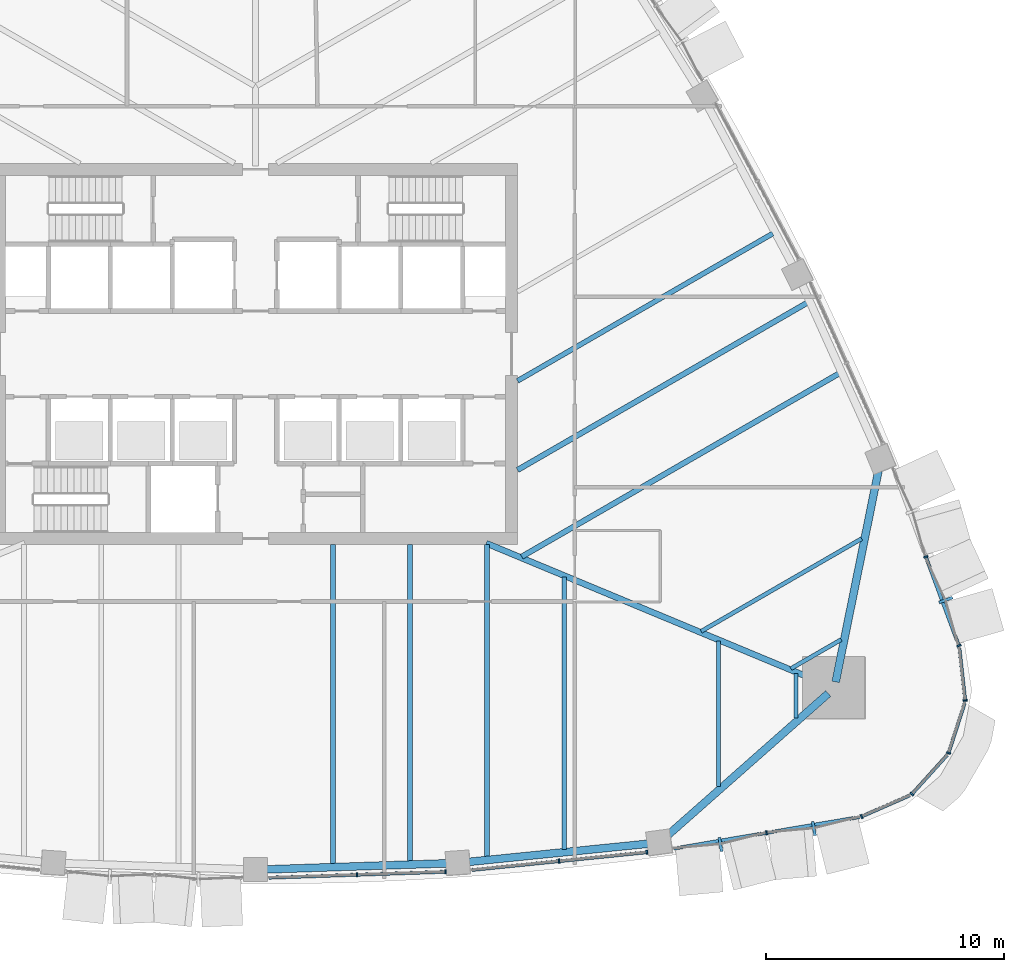
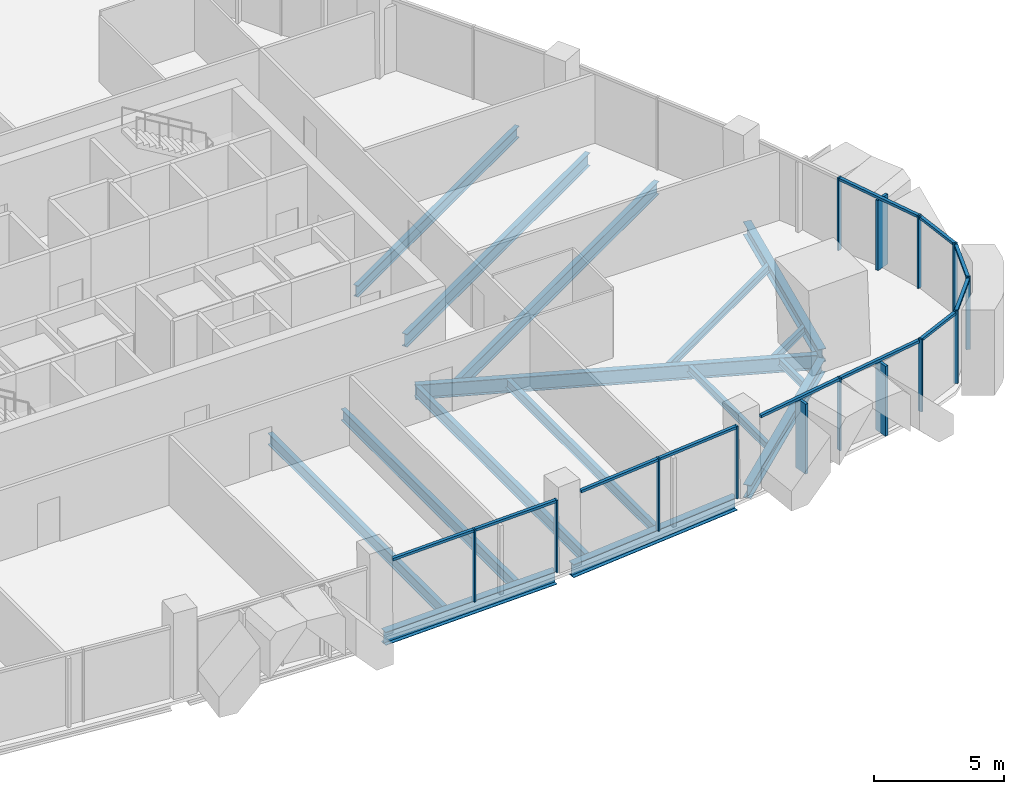
# One storey, part 4 of 17: 25 members, 16 beams, 8 elements without a shape of their own.
"""IFC4 building model written with IfcOpenShell, lengths in metres."""

import ifcopenshell
import ifcopenshell.guid

model = None  # the IFC model being written
_history = None  # IfcOwnerHistory: only IFC2X3 demands one
_inside = {}  # id of a spatial element -> (the spatial element, [elements in it])
_under = {}  # id of a project, library or spatial element -> (it, [spatial elements below it])
_declared = {}  # id of a project -> (the project, [libraries it declares])
_typed = {}  # id of a type object -> (the type object, [elements of that type])
_made_of = {}  # id of a material, layer set ... -> (it, [elements and type objects made of it])


def new_model(schema):
    """Start an empty IFC model of exactly this schema.

    Asked for "IFC4X3", IfcOpenShell would pick the latest addendum, in which some entities
    have other attributes; the version numbers below select the first issue.
    IFC2X3 requires an IfcOwnerHistory on every rooted entity: one is made here for all.
    """
    global model, _history
    if schema == "IFC4X3":
        model = ifcopenshell.file(schema_version=(4, 3, 0, 0))
    else:
        model = ifcopenshell.file(schema=schema)
    _inside.clear()
    _under.clear()
    _declared.clear()
    _typed.clear()
    _made_of.clear()
    _history = None
    if model.schema == "IFC2X3":
        org = make("IfcOrganization", Name="unknown")
        user = make(
            "IfcPersonAndOrganization",
            ThePerson=make("IfcPerson", FamilyName="unknown"),
            TheOrganization=org,
        )
        app = make(
            "IfcApplication",
            ApplicationDeveloper=org,
            Version="unknown",
            ApplicationFullName="unknown",
            ApplicationIdentifier="unknown",
        )
        _history = make(
            "IfcOwnerHistory",
            OwningUser=user,
            OwningApplication=app,
            ChangeAction="ADDED",
            CreationDate=0,
        )
    return model


def make(cls, **values):
    """One entity of the class cls with the attributes given. An attribute that is None is left unset."""
    return model.create_entity(
        cls, **{name: value for name, value in values.items() if value is not None}
    )


def rooted(cls, **values):
    """An entity with a GlobalId (a new one), such as an element, a storey or a relation."""
    return make(cls, GlobalId=ifcopenshell.guid.new(), OwnerHistory=_history, **values)


def si_unit(unit_type, name, prefix=None):
    """IfcSIUnit, for example si_unit("LENGTHUNIT", "METRE", prefix="MILLI")."""
    return make("IfcSIUnit", UnitType=unit_type, Prefix=prefix, Name=name)


def assignment(units):
    """IfcUnitAssignment: the units of a project."""
    return None if units is None else make("IfcUnitAssignment", Units=units)


def point(xyz):
    """IfcCartesianPoint."""
    return None if xyz is None else make("IfcCartesianPoint", Coordinates=xyz)


def direction(xyz):
    """IfcDirection."""
    return None if xyz is None else make("IfcDirection", DirectionRatios=xyz)


def frame(location, z_axis=None, x_axis=None):
    """IfcAxis2Placement3D, a coordinate frame: its origin and axes. An axis left out is left unset."""
    return make(
        "IfcAxis2Placement3D",
        Location=point(location),
        Axis=direction(z_axis),
        RefDirection=direction(x_axis),
    )


def frame_2d(location, x_axis=None):
    """IfcAxis2Placement2D, a coordinate frame in the plane: its origin and x axis."""
    return make(
        "IfcAxis2Placement2D", Location=point(location), RefDirection=direction(x_axis)
    )


def origin():
    """The frame at (0, 0, 0) with its axes left unset."""
    return frame((0.0, 0.0, 0.0))


def origin_2d():
    """The frame at (0, 0) in the plane with its x axis left unset."""
    return frame_2d((0.0, 0.0))


def place(relative_to, where):
    """IfcLocalPlacement: puts the frame where relative to a parent placement (None: the world)."""
    return make(
        "IfcLocalPlacement", PlacementRelTo=relative_to, RelativePlacement=where
    )


def context(
    kind, dimensions, precision=None, world=None, true_north=None, identifier=None
):
    """IfcGeometricRepresentationContext, for example the 3D "Model" context."""
    return make(
        "IfcGeometricRepresentationContext",
        ContextIdentifier=identifier,
        ContextType=kind,
        CoordinateSpaceDimension=dimensions,
        Precision=precision,
        WorldCoordinateSystem=world,
        TrueNorth=true_north,
    )


def subcontext(parent, identifier, kind, view, scale=None):
    """IfcGeometricRepresentationSubContext, for example "Body" below "Model"."""
    return make(
        "IfcGeometricRepresentationSubContext",
        ContextIdentifier=identifier,
        ContextType=kind,
        ParentContext=parent,
        TargetScale=scale,
        TargetView=view,
    )


def project(units=None, contexts=None):
    """IfcProject with its units and contexts."""
    return rooted(
        "IfcProject",
        Name="project",
        RepresentationContexts=contexts,
        UnitsInContext=assignment(units),
    )


def spatial(cls, under=None, at=None, **own):
    """A site, building, storey or space (cls), placed at a placement, below another one or the project."""
    s = rooted(cls, ObjectPlacement=at, **own)
    if under is not None:
        _under.setdefault(under.id(), (under, []))[1].append(s)
    return s


def profile(cls, at=None, kind="AREA", **sizes):
    """A parametric profile (cls). Its sizes go by their IFC names, for example OverallWidth=200.0."""
    return make(cls, ProfileType=kind, Position=at, **sizes)


def rectangle(**sizes):
    """IfcRectangleProfileDef."""
    return profile("IfcRectangleProfileDef", **sizes)


def i_section(**sizes):
    """IfcIShapeProfileDef."""
    return profile("IfcIShapeProfileDef", **sizes)


def extrude(swept, where, along, depth):
    """IfcExtrudedAreaSolid: the profile swept, set in the frame where, extruded along a direction by depth."""
    return make(
        "IfcExtrudedAreaSolid",
        SweptArea=swept,
        Position=where,
        ExtrudedDirection=direction(along),
        Depth=depth,
    )


def shape(context_of_items, identifier, shape_type, items):
    """IfcShapeRepresentation: the items that make up one representation, for example the "Body"."""
    return make(
        "IfcShapeRepresentation",
        ContextOfItems=context_of_items,
        RepresentationIdentifier=identifier,
        RepresentationType=shape_type,
        Items=items,
    )


def material(Name=None, Category=None):
    """IfcMaterial."""
    return make("IfcMaterial", Name=Name, Category=Category)


def layer(
    of_material, thickness, ventilated=None, Name=None, Category=None, Priority=None
):
    """IfcMaterialLayer: one layer of a wall or slab, of a material (None: an air gap)."""
    return make(
        "IfcMaterialLayer",
        Material=of_material,
        LayerThickness=thickness,
        IsVentilated=ventilated,
        Name=Name,
        Category=Category,
        Priority=Priority,
    )


def layer_set(layers, Name=None):
    """IfcMaterialLayerSet."""
    return make("IfcMaterialLayerSet", MaterialLayers=layers, LayerSetName=Name)


def material_profile(
    of_material, cross_section, Name=None, Category=None, Priority=None
):
    """IfcMaterialProfile: a cross section and its material."""
    return make(
        "IfcMaterialProfile",
        Name=Name,
        Material=of_material,
        Profile=cross_section,
        Priority=Priority,
        Category=Category,
    )


def profile_set(profiles, Name=None, composite=None):
    """IfcMaterialProfileSet."""
    return make(
        "IfcMaterialProfileSet",
        Name=Name,
        MaterialProfiles=profiles,
        CompositeProfile=composite,
    )


def made_of(thing, what):
    """Note that an element or type object is made of a material, layer set ...; save() writes the relation."""
    if what is not None:
        _made_of.setdefault(what.id(), (what, []))[1].append(thing)
    return thing


def type_object(cls, material=None, **own):
    """A type object (cls), such as IfcWallType, which elements share."""
    return made_of(rooted(cls, **own), material)


def element(
    cls,
    number,
    at=None,
    inside=None,
    cuts=None,
    type_object=None,
    material=None,
    context=None,
    identifier="Body",
    shape_type=None,
    held_by="IfcProductDefinitionShape",
    body=None,
    shapes=None,
    **own,
):
    """One element of the class cls, such as IfcWall. Its Tag is "e" and its number.

    at: its placement. inside: the storey or other place that contains it. cuts: it is an
    opening in that element (IfcRelVoidsElement). A single representation is given by context,
    identifier, shape_type and body (its items); several are given by shapes. held_by: the class
    of the entity that holds the representations. save() writes the other relations.
    """
    e = rooted(cls, Tag="e%d" % number, ObjectPlacement=at, **own)
    if body is not None:
        shapes = [shape(context, identifier, shape_type, body)]
    if shapes is not None:
        e.Representation = make(held_by, Representations=shapes)
    if inside is not None:
        _inside.setdefault(inside.id(), (inside, []))[1].append(e)
    if cuts is not None:
        rooted(
            "IfcRelVoidsElement", RelatingBuildingElement=cuts, RelatedOpeningElement=e
        )
    if type_object is not None:
        _typed.setdefault(type_object.id(), (type_object, []))[1].append(e)
    return made_of(e, material)


def aggregate(whole, parts):
    """IfcRelAggregates: a whole, such as a stair, and the parts it consists of."""
    return rooted("IfcRelAggregates", RelatingObject=whole, RelatedObjects=parts)


def save(model, path):
    """Write the relations noted so far, then the file.

    IfcRelAggregates (storeys below a building ...), IfcRelContainedInSpatialStructure (elements
    in a storey), IfcRelDefinesByType, IfcRelAssociatesMaterial and IfcRelDeclares: one each for
    every whole, place, type object, material and project.
    """
    for whole, parts in _under.values():
        aggregate(whole, parts)
    for where, things in _inside.values():
        rooted(
            "IfcRelContainedInSpatialStructure",
            RelatedElements=things,
            RelatingStructure=where,
        )
    for kind, things in _typed.values():
        rooted("IfcRelDefinesByType", RelatedObjects=things, RelatingType=kind)
    for what, things in _made_of.values():
        rooted("IfcRelAssociatesMaterial", RelatedObjects=things, RelatingMaterial=what)
    for by, libraries in _declared.values():
        rooted("IfcRelDeclares", RelatingContext=by, RelatedDefinitions=libraries)
    model.write(path)


model = new_model("IFC4")

# Units and contexts
model_context = context("Model", 3, precision=1e-05, world=origin(), true_north=direction((0.0, 1.0)))
body_context = subcontext(model_context, "Body", "Model", "MODEL_VIEW")
ifc_project = project(units=[si_unit("LENGTHUNIT", "METRE"), si_unit("AREAUNIT", "SQUARE_METRE"), si_unit("VOLUMEUNIT", "CUBIC_METRE"), si_unit("PLANEANGLEUNIT", "RADIAN"), si_unit("MASSUNIT", "GRAM", prefix="KILO")], contexts=[model_context])

# Site, building, storey
site_placement = place(None, origin())
site = spatial("IfcSite", under=ifc_project, at=site_placement, CompositionType="ELEMENT")
building_placement = place(site_placement, origin())
building = spatial("IfcBuilding", under=site, at=building_placement, Name="Sierra Prisma Convention Tower", CompositionType="ELEMENT")
storey_placement = place(building_placement, frame((0.0, 0.0, 153.800048828125)))
storey = spatial("IfcBuildingStorey", under=building, at=storey_placement, Name="L33", CompositionType="ELEMENT", Elevation=153.800048828125)

# Curtain wall, members
ifc_material_1 = material(Name="Aluminium and glass curtain wall", Category="aluminium")
ifc_layer_1 = layer(ifc_material_1, 0.179931640625)
ifc_layer_set_1 = layer_set([ifc_layer_1], Name="CW-2 Faceted crystal curtain wall")
curtain_wall_type_1 = type_object("IfcCurtainWallType", Name="CW-2 Faceted crystal curtain wall", PredefinedType="NOTDEFINED", material=ifc_layer_set_1)
curtain_wall_1_placement = place(storey_placement, origin())
curtain_wall_1 = element("IfcCurtainWall", 1, at=curtain_wall_1_placement, inside=storey, type_object=curtain_wall_type_1, Name="CW-2 S6 L33", PredefinedType="NOTDEFINED")
ifc_material_2 = material(Name="Aluminium 6063-T6 bronze anodised", Category="aluminium")
ifc_material_profile_1 = material_profile(ifc_material_2, rectangle(XDim=0.1201171875, YDim=0.60009765625, at=origin_2d()), Name="ALU RIDGE BLADE 120x600")
ifc_profile_set_1 = profile_set([ifc_material_profile_1], Name="Aluminium 6063-T6 bronze anodised")
member_type_1 = type_object("IfcMemberType", Name="CW hip bronze", PredefinedType="MULLION", material=ifc_profile_set_1)
member_1_placement = place(storey_placement, frame((19.521728515625, -20.599853515625, 0.0), z_axis=(0.0, 0.0, 1.0), x_axis=(0.985907976099, 0.16728856107, 0.0)))
member_1 = element("IfcMember", 2, at=member_1_placement, type_object=member_type_1, Name="CW-2 ridge S6.1", PredefinedType="MULLION", context=body_context, shape_type="SweptSolid", body=[
    extrude(rectangle(XDim=0.1201171875, YDim=0.60009765625, at=origin_2d()), origin(), (0.0, 0.0, 1.0), 3.280029296875),
])
member_2_placement = place(storey_placement, frame((23.4443359375, -19.934326171875, 0.0), z_axis=(0.0, 0.0, 1.0), x_axis=(0.985907976099, 0.16728856107, 0.0)))
member_2 = element("IfcMember", 3, at=member_2_placement, type_object=member_type_1, Name="CW-2 ridge S6.2", PredefinedType="MULLION", context=body_context, shape_type="SweptSolid", body=[
    extrude(rectangle(XDim=0.1201171875, YDim=0.60009765625, at=origin_2d()), origin(), (0.0, 0.0, 1.0), 3.280029296875),
])

# Curtain wall, member
curtain_wall_2_placement = place(storey_placement, origin())
curtain_wall_2 = element("IfcCurtainWall", 4, at=curtain_wall_2_placement, inside=storey, type_object=curtain_wall_type_1, Name="CW-2 NE1 L33", PredefinedType="NOTDEFINED")
member_3_placement = place(storey_placement, frame((28.98583984375, -10.33642578125, 0.0), z_axis=(0.0, 0.0, 1.0), x_axis=(-0.3480778444, 0.93746563363, 0.0)))
member_3 = element("IfcMember", 5, at=member_3_placement, type_object=member_type_1, Name="CW-2 ridge NE1.1", PredefinedType="MULLION", context=body_context, shape_type="SweptSolid", body=[
    extrude(rectangle(XDim=0.1201171875, YDim=0.60009765625, at=origin_2d()), origin(), (0.0, 0.0, 1.0), 3.280029296875),
])

# Curtain wall, members
ifc_material_3 = material(Name="Aluminium and glass curtain wall", Category="aluminium")
ifc_layer_2 = layer(ifc_material_3, 0.179931640625)
ifc_layer_set_2 = layer_set([ifc_layer_2], Name="CW-1 Plain shaft curtain wall")
curtain_wall_type_2 = type_object("IfcCurtainWallType", Name="CW-1 Plain shaft curtain wall", PredefinedType="NOTDEFINED", material=ifc_layer_set_2)
curtain_wall_3_placement = place(storey_placement, origin())
curtain_wall_3 = element("IfcCurtainWall", 6, at=curtain_wall_3_placement, inside=storey, type_object=curtain_wall_type_2, Name="CW-1 S4 L33", PredefinedType="NOTDEFINED")
ifc_material_4 = material(Name="Aluminium 6063-T6 bronze anodised", Category="aluminium")
ifc_material_profile_2 = material_profile(ifc_material_4, rectangle(XDim=0.179931640625, YDim=0.070068359375, at=origin_2d()), Name="ALU MULLION 70x180")
ifc_profile_set_2 = profile_set([ifc_material_profile_2], Name="Aluminium 6063-T6 bronze anodised")
member_type_2 = type_object("IfcMemberType", Name="CW mullion bronze", PredefinedType="MULLION", material=ifc_profile_set_2)
member_4_placement = place(storey_placement, frame((4.255126953125, -21.87255859375, 0.0), z_axis=(0.0, 0.0, 1.0), x_axis=(-0.03360943507, 0.999435043349, 0.0)))
member_4 = element("IfcMember", 7, at=member_4_placement, type_object=member_type_2, Name="CW-1 mullion S4.2", PredefinedType="MULLION", context=body_context, shape_type="SweptSolid", body=[
    extrude(rectangle(XDim=0.179931640625, YDim=0.070068359375, at=origin_2d()), origin(), (0.0, 0.0, 1.0), 3.39990234375),
])
member_5_placement = place(storey_placement, frame((7.9755859375, -21.74755859375, 0.0), z_axis=(0.0, 0.0, 1.0), x_axis=(-0.03360943507, 0.999435043349, 0.0)))
member_5 = element("IfcMember", 8, at=member_5_placement, type_object=member_type_2, Name="CW-1 mullion S4.3", PredefinedType="MULLION", context=body_context, shape_type="SweptSolid", body=[
    extrude(rectangle(XDim=0.179931640625, YDim=0.070068359375, at=origin_2d()), origin(), (0.0, 0.0, 1.0), 3.39990234375),
])

curtain_wall_4_placement = place(storey_placement, origin())
curtain_wall_4 = element("IfcCurtainWall", 9, at=curtain_wall_4_placement, inside=storey, type_object=curtain_wall_type_2, Name="CW-1 S5 L33", PredefinedType="NOTDEFINED")
member_6_placement = place(storey_placement, frame((12.74267578125, -21.302001953125, 0.0), z_axis=(0.0, 0.0, 1.0), x_axis=(-0.100676445112, 0.994919219535, 0.0)))
member_6 = element("IfcMember", 10, at=member_6_placement, type_object=member_type_2, Name="CW-1 mullion S5.2", PredefinedType="MULLION", context=body_context, shape_type="SweptSolid", body=[
    extrude(rectangle(XDim=0.179931640625, YDim=0.070068359375, at=origin_2d()), origin(), (0.0, 0.0, 1.0), 3.39990234375),
])
member_7_placement = place(storey_placement, frame((16.430419921875, -20.928955078125, 0.0), z_axis=(0.0, 0.0, 1.0), x_axis=(-0.100676445112, 0.994919219535, 0.0)))
member_7 = element("IfcMember", 11, at=member_7_placement, type_object=member_type_2, Name="CW-1 mullion S5.3", PredefinedType="MULLION", context=body_context, shape_type="SweptSolid", body=[
    extrude(rectangle(XDim=0.179931640625, YDim=0.070068359375, at=origin_2d()), origin(), (0.0, 0.0, 1.0), 3.39990234375),
])

# Member
member_8_placement = place(storey_placement, frame((21.457275390625, -20.115478515625, 0.0), z_axis=(0.0, 0.0, 1.0), x_axis=(-0.16728856107, 0.985907976099, 0.0)))
member_8 = element("IfcMember", 12, at=member_8_placement, type_object=member_type_2, Name="CW-1 mullion S6.2", PredefinedType="MULLION", context=body_context, shape_type="SweptSolid", body=[
    extrude(rectangle(XDim=0.179931640625, YDim=0.070068359375, at=origin_2d()), origin(), (0.0, 0.0, 1.0), 3.39990234375),
])

# Curtain wall, member
curtain_wall_5_placement = place(storey_placement, origin())
curtain_wall_5 = element("IfcCurtainWall", 13, at=curtain_wall_5_placement, inside=storey, type_object=curtain_wall_type_2, Name="CW-1 SE1 L33", PredefinedType="NOTDEFINED")
member_9_placement = place(storey_placement, frame((25.446533203125, -19.429931640625, 0.0), z_axis=(0.0, 0.0, 1.0), x_axis=(-0.401423311823, 0.915892638209, 0.0)))
member_9 = element("IfcMember", 14, at=member_9_placement, type_object=member_type_2, Name="CW-1 mullion SE1.1", PredefinedType="MULLION", context=body_context, shape_type="SweptSolid", body=[
    extrude(rectangle(XDim=0.179931640625, YDim=0.070068359375, at=origin_2d()), origin(), (0.0, 0.0, 1.0), 3.39990234375),
])

curtain_wall_6_placement = place(storey_placement, origin())
curtain_wall_6 = element("IfcCurtainWall", 15, at=curtain_wall_6_placement, inside=storey, type_object=curtain_wall_type_2, Name="CW-1 SE2 L33", PredefinedType="NOTDEFINED")
member_10_placement = place(storey_placement, frame((27.56005859375, -18.488037109375, 0.0), z_axis=(0.0, 0.0, 1.0), x_axis=(-0.741847843264, 0.670568249654, 0.0)))
member_10 = element("IfcMember", 16, at=member_10_placement, type_object=member_type_2, Name="CW-1 mullion SE2.1", PredefinedType="MULLION", context=body_context, shape_type="SweptSolid", body=[
    extrude(rectangle(XDim=0.179931640625, YDim=0.070068359375, at=origin_2d()), origin(), (0.0, 0.0, 1.0), 3.39990234375),
])

curtain_wall_7_placement = place(storey_placement, origin())
curtain_wall_7 = element("IfcCurtainWall", 17, at=curtain_wall_7_placement, inside=storey, type_object=curtain_wall_type_2, Name="CW-1 SE3 L33", PredefinedType="NOTDEFINED")
member_11_placement = place(storey_placement, frame((29.100830078125, -16.761962890625, 0.0), z_axis=(0.0, 0.0, 1.0), x_axis=(-0.951653060804, 0.307174953183, 0.0)))
member_11 = element("IfcMember", 18, at=member_11_placement, type_object=member_type_2, Name="CW-1 mullion SE3.1", PredefinedType="MULLION", context=body_context, shape_type="SweptSolid", body=[
    extrude(rectangle(XDim=0.179931640625, YDim=0.070068359375, at=origin_2d()), origin(), (0.0, 0.0, 1.0), 3.39990234375),
])

curtain_wall_8_placement = place(storey_placement, origin())
curtain_wall_8 = element("IfcCurtainWall", 19, at=curtain_wall_8_placement, inside=storey, type_object=curtain_wall_type_2, Name="CW-1 SE4 L33", PredefinedType="NOTDEFINED")
member_12_placement = place(storey_placement, frame((29.798095703125, -14.5556640625, 0.0), z_axis=(0.0, 0.0, 1.0), x_axis=(-0.993897947739, -0.110303533395, 0.0)))
member_12 = element("IfcMember", 20, at=member_12_placement, type_object=member_type_2, Name="CW-1 mullion SE4.1", PredefinedType="MULLION", context=body_context, shape_type="SweptSolid", body=[
    extrude(rectangle(XDim=0.179931640625, YDim=0.070068359375, at=origin_2d()), origin(), (0.0, 0.0, 1.0), 3.39990234375),
])

# Member
member_13_placement = place(storey_placement, frame((29.5341796875, -12.2548828125, 0.0), z_axis=(0.0, 0.0, 1.0), x_axis=(-0.93746563363, -0.3480778444, 0.0)))
member_13 = element("IfcMember", 21, at=member_13_placement, type_object=member_type_2, Name="CW-1 mullion NE1.1", PredefinedType="MULLION", context=body_context, shape_type="SweptSolid", body=[
    extrude(rectangle(XDim=0.179931640625, YDim=0.070068359375, at=origin_2d()), origin(), (0.0, 0.0, 1.0), 3.39990234375),
])

member_14_placement = place(storey_placement, frame((28.149169921875, -8.52490234375, 0.0), z_axis=(0.0, 0.0, 1.0), x_axis=(-0.93746563363, -0.3480778444, 0.0)))
member_14 = element("IfcMember", 22, at=member_14_placement, type_object=member_type_2, Name="CW-1 mullion NE1.2", PredefinedType="MULLION", context=body_context, shape_type="SweptSolid", body=[
    extrude(rectangle(XDim=0.179931640625, YDim=0.070068359375, at=origin_2d()), origin(), (0.0, 0.0, 1.0), 3.39990234375),
])

ifc_material_5 = material(Name="Aluminium 6063-T6 bronze anodised", Category="aluminium")
ifc_material_profile_3 = material_profile(ifc_material_5, rectangle(XDim=0.139892578125, YDim=0.1201171875, at=origin_2d()), Name="ALU TRANSOM 120x140")
ifc_profile_set_3 = profile_set([ifc_material_profile_3], Name="Aluminium 6063-T6 bronze anodised")
member_type_3 = type_object("IfcMemberType", Name="CW transom bronze", PredefinedType="USERDEFINED", material=ifc_profile_set_3)
member_15_placement = place(storey_placement, frame((0.569580078125, -21.99658203125, 3.33984375), z_axis=(0.999434697476, 0.03361971864, 0.0), x_axis=(-0.03361971864, 0.999434697476, 0.0)))
member_15 = element("IfcMember", 23, at=member_15_placement, type_object=member_type_3, Name="CW-1 transom S4.1", ObjectType="TRANSOM", PredefinedType="USERDEFINED", context=body_context, shape_type="SweptSolid", body=[
    extrude(rectangle(XDim=0.139892578125, YDim=0.1201171875, at=origin_2d()), origin(), (0.0, 0.0, 1.0), 3.652587890625),
])

member_16_placement = place(storey_placement, frame((4.2900390625, -21.871337890625, 3.33984375), z_axis=(0.999436865815, 0.033555197073, 0.0), x_axis=(-0.033555197073, 0.999436865815, 0.0)))
member_16 = element("IfcMember", 24, at=member_16_placement, type_object=member_type_3, Name="CW-1 transom S4.2", ObjectType="TRANSOM", PredefinedType="USERDEFINED", context=body_context, shape_type="SweptSolid", body=[
    extrude(rectangle(XDim=0.139892578125, YDim=0.1201171875, at=origin_2d()), origin(), (0.0, 0.0, 1.0), 3.65234375),
])

aggregate(curtain_wall_3, [member_4, member_5, member_15, member_16])

member_17_placement = place(storey_placement, frame((9.08984375, -21.671630859375, 3.33984375), z_axis=(0.994922871105, 0.100640352506, 0.0), x_axis=(-0.100640352506, 0.994922871105, 0.0)))
member_17 = element("IfcMember", 25, at=member_17_placement, type_object=member_type_3, Name="CW-1 transom S5.1", ObjectType="TRANSOM", PredefinedType="USERDEFINED", context=body_context, shape_type="SweptSolid", body=[
    extrude(rectangle(XDim=0.139892578125, YDim=0.1201171875, at=origin_2d()), origin(), (0.0, 0.0, 1.0), 3.636474609375),
])

member_18_placement = place(storey_placement, frame((12.777587890625, -21.298583984375, 3.33984375), z_axis=(0.994916146411, 0.10070681015, 0.0), x_axis=(-0.10070681015, 0.994916146411, 0.0)))
member_18 = element("IfcMember", 26, at=member_18_placement, type_object=member_type_3, Name="CW-1 transom S5.2", ObjectType="TRANSOM", PredefinedType="USERDEFINED", context=body_context, shape_type="SweptSolid", body=[
    extrude(rectangle(XDim=0.139892578125, YDim=0.1201171875, at=origin_2d()), origin(), (0.0, 0.0, 1.0), 3.636474609375),
])

aggregate(curtain_wall_4, [member_6, member_7, member_17, member_18])

member_19_placement = place(storey_placement, frame((17.569091796875, -20.775146484375, 3.33984375), z_axis=(0.985912033815, 0.167264645332, 0.0), x_axis=(-0.167264645332, 0.985912033815, 0.0)))
member_19 = element("IfcMember", 27, at=member_19_placement, type_object=member_type_3, Name="CW-1 transom S6.1", ObjectType="TRANSOM", PredefinedType="USERDEFINED", context=body_context, shape_type="SweptSolid", body=[
    extrude(rectangle(XDim=0.139892578125, YDim=0.1201171875, at=origin_2d()), origin(), (0.0, 0.0, 1.0), 3.908935546875),
])

member_20_placement = place(storey_placement, frame((21.491943359375, -20.109619140625, 3.33984375), z_axis=(0.985910286216, 0.167274945925, 0.0), x_axis=(-0.167274945925, 0.985910286216, 0.0)))
member_20 = element("IfcMember", 28, at=member_20_placement, type_object=member_type_3, Name="CW-1 transom S6.2", ObjectType="TRANSOM", PredefinedType="USERDEFINED", context=body_context, shape_type="SweptSolid", body=[
    extrude(rectangle(XDim=0.139892578125, YDim=0.1201171875, at=origin_2d()), origin(), (0.0, 0.0, 1.0), 3.90869140625),
])

aggregate(curtain_wall_1, [member_8, member_19, member_1, member_20, member_2])

member_21_placement = place(storey_placement, frame((25.478759765625, -19.416015625, 3.33984375), z_axis=(0.915853335507, 0.40151297344, 0.0), x_axis=(-0.40151297344, 0.915853335507, 0.0)))
member_21 = element("IfcMember", 29, at=member_21_placement, type_object=member_type_3, Name="CW-1 transom SE1.1", ObjectType="TRANSOM", PredefinedType="USERDEFINED", context=body_context, shape_type="SweptSolid", body=[
    extrude(rectangle(XDim=0.139892578125, YDim=0.1201171875, at=origin_2d()), origin(), (0.0, 0.0, 1.0), 2.1767578125),
])

aggregate(curtain_wall_5, [member_9, member_21])

member_22_placement = place(storey_placement, frame((27.58349609375, -18.4619140625, 3.33984375), z_axis=(0.670599022569, 0.74182002597, 0.0), x_axis=(-0.74182002597, 0.670599022569, 0.0)))
member_22 = element("IfcMember", 30, at=member_22_placement, type_object=member_type_3, Name="CW-1 transom SE2.1", ObjectType="TRANSOM", PredefinedType="USERDEFINED", context=body_context, shape_type="SweptSolid", body=[
    extrude(rectangle(XDim=0.139892578125, YDim=0.1201171875, at=origin_2d()), origin(), (0.0, 0.0, 1.0), 2.1767578125),
])

aggregate(curtain_wall_6, [member_10, member_22])

member_23_placement = place(storey_placement, frame((29.111572265625, -16.728515625, 3.33984375), z_axis=(0.307196113718, 0.951646230338, 0.0), x_axis=(-0.951646230338, 0.307196113718, 0.0)))
member_23 = element("IfcMember", 31, at=member_23_placement, type_object=member_type_3, Name="CW-1 transom SE3.1", ObjectType="TRANSOM", PredefinedType="USERDEFINED", context=body_context, shape_type="SweptSolid", body=[
    extrude(rectangle(XDim=0.139892578125, YDim=0.1201171875, at=origin_2d()), origin(), (0.0, 0.0, 1.0), 2.1767578125),
])

aggregate(curtain_wall_7, [member_11, member_23])

member_24_placement = place(storey_placement, frame((29.794189453125, -14.520751953125, 3.33984375), z_axis=(-0.110357669507, 0.993891938181, 0.0), x_axis=(-0.993891938181, -0.110357669507, 0.0)))
member_24 = element("IfcMember", 32, at=member_24_placement, type_object=member_type_3, Name="CW-1 transom SE4.1", ObjectType="TRANSOM", PredefinedType="USERDEFINED", context=body_context, shape_type="SweptSolid", body=[
    extrude(rectangle(XDim=0.139892578125, YDim=0.1201171875, at=origin_2d()), origin(), (0.0, 0.0, 1.0), 2.1767578125),
])

aggregate(curtain_wall_8, [member_12, member_24])

member_25_placement = place(storey_placement, frame((29.52197265625, -12.221923828125, 3.33984375), z_axis=(-0.348089298111, 0.937461380826, 0.0), x_axis=(-0.937461380826, -0.348089298111, 0.0)))
member_25 = element("IfcMember", 33, at=member_25_placement, type_object=member_type_3, Name="CW-1 transom NE1.1", ObjectType="TRANSOM", PredefinedType="USERDEFINED", context=body_context, shape_type="SweptSolid", body=[
    extrude(rectangle(XDim=0.139892578125, YDim=0.1201171875, at=origin_2d()), origin(), (0.0, 0.0, 1.0), 3.90869140625),
])

aggregate(curtain_wall_2, [member_13, member_14, member_25, member_3])

# Beams
ifc_material_6 = material(Name="Steel ASTM A992 Gr 50", Category="steel")
ifc_material_profile_4 = material_profile(ifc_material_6, i_section(OverallWidth=0.172119140625, OverallDepth=0.35791015625, WebThickness=0.0078125, FlangeThickness=0.01318359375, at=origin_2d()), Name="W360x57")
ifc_profile_set_4 = profile_set([ifc_material_profile_4], Name="Steel ASTM A992 Gr 50")
beam_type_1 = type_object("IfcBeamType", Name="Floor joist W360x57", PredefinedType="JOIST", material=ifc_profile_set_4)
beam_1_placement = place(storey_placement, frame((19.44677734375, -18.1611328125, -0.3291015625), z_axis=(0.0, 1.0, 0.0), x_axis=(-1.0, 0.0, 0.0)))
element("IfcBeam", 34, at=beam_1_placement, inside=storey, type_object=beam_type_1, Name="Floor joist L33 S14", PredefinedType="JOIST", context=body_context, shape_type="SweptSolid", body=[
    extrude(i_section(OverallWidth=0.172119140625, OverallDepth=0.35791015625, WebThickness=0.0078125, FlangeThickness=0.01318359375, at=origin_2d()), origin(), (0.0, 0.0, 1.0), 6.09375),
])
beam_2_placement = place(storey_placement, frame((22.68798828125, -15.298828125, -0.3291015625), z_axis=(0.0, 1.0, 0.0), x_axis=(-1.0, 0.0, 0.0)))
element("IfcBeam", 35, at=beam_2_placement, inside=storey, type_object=beam_type_1, Name="Floor joist L33 S15", PredefinedType="JOIST", context=body_context, shape_type="SweptSolid", body=[
    extrude(i_section(OverallWidth=0.172119140625, OverallDepth=0.35791015625, WebThickness=0.0078125, FlangeThickness=0.01318359375, at=origin_2d()), origin(), (0.0, 0.0, 1.0), 1.88330078125),
])
beam_3_placement = place(storey_placement, frame((24.593017578125, -11.998779296875, -0.3291015625), z_axis=(-0.865980627057, -0.500077547548, 0.0), x_axis=(0.500077547548, -0.865980627057, 0.0)))
element("IfcBeam", 36, at=beam_3_placement, inside=storey, type_object=beam_type_1, Name="Floor joist L33 NE01", PredefinedType="JOIST", context=body_context, shape_type="SweptSolid", body=[
    extrude(i_section(OverallWidth=0.172119140625, OverallDepth=0.35791015625, WebThickness=0.0078125, FlangeThickness=0.01318359375, at=origin_2d()), origin(), (0.0, 0.0, 1.0), 2.43994140625),
])
beam_4_placement = place(storey_placement, frame((25.451416015625, -7.7607421875, -0.3291015625), z_axis=(-0.866014220968, -0.500019368707, 0.0), x_axis=(0.500019368707, -0.866014220968, 0.0)))
element("IfcBeam", 37, at=beam_4_placement, inside=storey, type_object=beam_type_1, Name="Floor joist L33 NE02", PredefinedType="JOIST", context=body_context, shape_type="SweptSolid", body=[
    extrude(i_section(OverallWidth=0.172119140625, OverallDepth=0.35791015625, WebThickness=0.0078125, FlangeThickness=0.01318359375, at=origin_2d()), origin(), (0.0, 0.0, 1.0), 7.781982421875),
])
ifc_material_7 = material(Name="Steel ASTM A992 Gr 50", Category="steel")
ifc_material_profile_5 = material_profile(ifc_material_7, i_section(OverallWidth=0.18994140625, OverallDepth=0.45703125, WebThickness=0.009033203125, FlangeThickness=0.014404296875, at=origin_2d()), Name="W460x74")
ifc_profile_set_5 = profile_set([ifc_material_profile_5], Name="Steel ASTM A992 Gr 50")
beam_type_2 = type_object("IfcBeamType", Name="Floor joist W460x74", PredefinedType="JOIST", material=ifc_profile_set_5)
beam_5_placement = place(storey_placement, frame((12.964599609375, -20.814697265625, -0.378662109375), z_axis=(0.0, 1.0, 0.0), x_axis=(-1.0, 0.0, 0.0)))
element("IfcBeam", 38, at=beam_5_placement, inside=storey, type_object=beam_type_2, Name="Floor joist L33 S12", PredefinedType="JOIST", context=body_context, shape_type="SweptSolid", body=[
    extrude(i_section(OverallWidth=0.18994140625, OverallDepth=0.45703125, WebThickness=0.009033203125, FlangeThickness=0.014404296875, at=origin_2d()), origin(), (0.0, 0.0, 1.0), 11.443359375),
])
ifc_material_8 = material(Name="Steel ASTM A992 Gr 50", Category="steel")
ifc_material_profile_6 = material_profile(ifc_material_8, i_section(OverallWidth=0.208984375, OverallDepth=0.532958984375, WebThickness=0.01025390625, FlangeThickness=0.015625, at=origin_2d()), Name="W530x92")
ifc_profile_set_6 = profile_set([ifc_material_profile_6], Name="Steel ASTM A992 Gr 50")
beam_type_3 = type_object("IfcBeamType", Name="Floor joist W530x92", PredefinedType="JOIST", material=ifc_profile_set_6)
beam_6_placement = place(storey_placement, frame((3.2412109375, -21.444091796875, -0.41650390625), z_axis=(0.0, 1.0, 0.0), x_axis=(-1.0, 0.0, 0.0)))
element("IfcBeam", 39, at=beam_6_placement, inside=storey, type_object=beam_type_3, Name="Floor joist L33 S09", PredefinedType="JOIST", context=body_context, shape_type="SweptSolid", body=[
    extrude(i_section(OverallWidth=0.208984375, OverallDepth=0.532958984375, WebThickness=0.01025390625, FlangeThickness=0.015625, at=origin_2d()), origin(), (0.0, 0.0, 1.0), 13.444091796875),
])
beam_7_placement = place(storey_placement, frame((6.482177734375, -21.335205078125, -0.41650390625), z_axis=(0.0, 1.0, 0.0), x_axis=(-1.0, 0.0, 0.0)))
element("IfcBeam", 40, at=beam_7_placement, inside=storey, type_object=beam_type_3, Name="Floor joist L33 S10", PredefinedType="JOIST", context=body_context, shape_type="SweptSolid", body=[
    extrude(i_section(OverallWidth=0.208984375, OverallDepth=0.532958984375, WebThickness=0.01025390625, FlangeThickness=0.015625, at=origin_2d()), origin(), (0.0, 0.0, 1.0), 13.335205078125),
])
beam_8_placement = place(storey_placement, frame((9.723388671875, -21.142578125, -0.41650390625), z_axis=(0.0, 1.0, 0.0), x_axis=(-1.0, 0.0, 0.0)))
element("IfcBeam", 41, at=beam_8_placement, inside=storey, type_object=beam_type_3, Name="Floor joist L33 S11", PredefinedType="JOIST", context=body_context, shape_type="SweptSolid", body=[
    extrude(i_section(OverallWidth=0.208984375, OverallDepth=0.532958984375, WebThickness=0.01025390625, FlangeThickness=0.015625, at=origin_2d()), origin(), (0.0, 0.0, 1.0), 13.142578125),
])
beam_9_placement = place(storey_placement, frame((21.718017578125, 5.0537109375, -0.41650390625), z_axis=(-0.866027574869, -0.499996239553, 0.0), x_axis=(0.499996239553, -0.866027574869, 0.0)))
element("IfcBeam", 42, at=beam_9_placement, inside=storey, type_object=beam_type_3, Name="Floor joist L33 NE06", PredefinedType="JOIST", context=body_context, shape_type="SweptSolid", body=[
    extrude(i_section(OverallWidth=0.208984375, OverallDepth=0.532958984375, WebThickness=0.01025390625, FlangeThickness=0.015625, at=origin_2d()), origin(), (0.0, 0.0, 1.0), 12.3759765625),
])
ifc_material_9 = material(Name="Steel ASTM A992 Gr 50", Category="steel")
ifc_material_profile_7 = material_profile(ifc_material_9, i_section(OverallWidth=0.22802734375, OverallDepth=0.60302734375, WebThickness=0.010498046875, FlangeThickness=0.014892578125, at=origin_2d()), Name="W610x101")
ifc_profile_set_7 = profile_set([ifc_material_profile_7], Name="Steel ASTM A992 Gr 50")
beam_type_4 = type_object("IfcBeamType", Name="Floor joist W610x101", PredefinedType="JOIST", material=ifc_profile_set_7)
beam_10_placement = place(storey_placement, frame((24.50830078125, -0.8203125, -0.45166015625), z_axis=(-0.866031882893, -0.499988777687, 0.0), x_axis=(0.499988777687, -0.866031882893, 0.0)))
element("IfcBeam", 43, at=beam_10_placement, inside=storey, type_object=beam_type_4, Name="Floor joist L33 NE04", PredefinedType="JOIST", context=body_context, shape_type="SweptSolid", body=[
    extrude(i_section(OverallWidth=0.22802734375, OverallDepth=0.60302734375, WebThickness=0.010498046875, FlangeThickness=0.014892578125, at=origin_2d()), origin(), (0.0, 0.0, 1.0), 15.394287109375),
])
beam_11_placement = place(storey_placement, frame((23.171875, 2.150634765625, -0.45166015625), z_axis=(-0.866028224559, -0.499995114243, 0.0), x_axis=(0.499995114243, -0.866028224559, 0.0)))
element("IfcBeam", 44, at=beam_11_placement, inside=storey, type_object=beam_type_4, Name="Floor joist L33 NE05", PredefinedType="JOIST", context=body_context, shape_type="SweptSolid", body=[
    extrude(i_section(OverallWidth=0.22802734375, OverallDepth=0.60302734375, WebThickness=0.010498046875, FlangeThickness=0.014892578125, at=origin_2d()), origin(), (0.0, 0.0, 1.0), 14.054931640625),
])
ifc_material_10 = material(Name="Steel ASTM A992 Gr 50", Category="steel")
ifc_material_profile_8 = material_profile(ifc_material_10, i_section(OverallWidth=0.25390625, OverallDepth=0.68408203125, WebThickness=0.012451171875, FlangeThickness=0.018798828125, at=origin_2d()), Name="W690x140")
ifc_profile_set_8 = profile_set([ifc_material_profile_8], Name="Steel ASTM A992 Gr 50")
beam_type_5 = type_object("IfcBeamType", Name="Radial girder W690x140", PredefinedType="BEAM", material=ifc_profile_set_8)
beam_12_placement = place(storey_placement, frame((24.048583984375, -13.92626953125, -0.491943359375), z_axis=(-0.923320110719, 0.38403121376, 0.0), x_axis=(-0.38403121376, -0.923320110719, 0.0)))
element("IfcBeam", 45, at=beam_12_placement, inside=storey, type_object=beam_type_5, Name="Radial girder L33 SE", PredefinedType="BEAM", context=body_context, shape_type="SweptSolid", body=[
    extrude(i_section(OverallWidth=0.25390625, OverallDepth=0.68408203125, WebThickness=0.012451171875, FlangeThickness=0.018798828125, at=origin_2d()), origin(), (0.0, 0.0, 1.0), 15.552001953125),
])
ifc_material_11 = material(Name="Steel ASTM A992 Gr 50", Category="steel")
ifc_material_profile_9 = material_profile(ifc_material_11, i_section(OverallWidth=0.324951171875, OverallDepth=0.615966796875, WebThickness=0.013916015625, FlangeThickness=0.021484375, at=origin_2d()), Name="W610x174")
ifc_profile_set_9 = profile_set([ifc_material_profile_9], Name="Steel ASTM A992 Gr 50")
beam_type_6 = type_object("IfcBeamType", Name="Spandrel beam W610x174", PredefinedType="BEAM", material=ifc_profile_set_9)
for number, where, z_axis, x_axis, name in (
    (46, (0.380126953125, -21.65283203125, -0.4580078125), (0.999435030343, 0.033609821835, 0.0), (-0.033609821835, 0.999435030343, 0.0), "Spandrel L33-04"),
    (47, (8.877685546875, -21.341552734375, -0.4580078125), (0.994919755433, 0.10067114904, 0.0), (-0.10067114904, 0.994919755433, 0.0), "Spandrel L33-05"),
):
    element("IfcBeam", number, at=place(storey_placement, frame(where, z_axis=z_axis, x_axis=x_axis)), inside=storey, type_object=beam_type_6, Name=name, PredefinedType="BEAM", context=body_context, shape_type="SweptSolid", body=[
        extrude(i_section(OverallWidth=0.324951171875, OverallDepth=0.615966796875, WebThickness=0.013916015625, FlangeThickness=0.021484375, at=origin_2d()), origin(), (0.0, 0.0, 1.0), 7.743408203125),
    ])
beam_13_placement = place(storey_placement, frame((17.321044921875, -20.205078125, -0.4580078125), z_axis=(0.749569481419, 0.66192566994, 0.0), x_axis=(-0.66192566994, 0.749569481419, 0.0)))
element("IfcBeam", 48, at=beam_13_placement, inside=storey, type_object=beam_type_6, Name="Spandrel L33-06", PredefinedType="BEAM", context=body_context, shape_type="SweptSolid", body=[
    extrude(i_section(OverallWidth=0.324951171875, OverallDepth=0.615966796875, WebThickness=0.013916015625, FlangeThickness=0.021484375, at=origin_2d()), origin(), (0.0, 0.0, 1.0), 8.97509765625),
])
beam_14_placement = place(storey_placement, frame((24.361083984375, -13.7744140625, -0.4580078125), z_axis=(0.198479427713, 0.980105053948, 0.0), x_axis=(-0.980105053948, 0.198479427713, 0.0)))
element("IfcBeam", 49, at=beam_14_placement, inside=storey, type_object=beam_type_6, Name="Spandrel L33-07", PredefinedType="BEAM", context=body_context, shape_type="SweptSolid", body=[
    extrude(i_section(OverallWidth=0.324951171875, OverallDepth=0.615966796875, WebThickness=0.013916015625, FlangeThickness=0.021484375, at=origin_2d()), origin(), (0.0, 0.0, 1.0), 9.056884765625),
])

save(model, "model.ifc")
